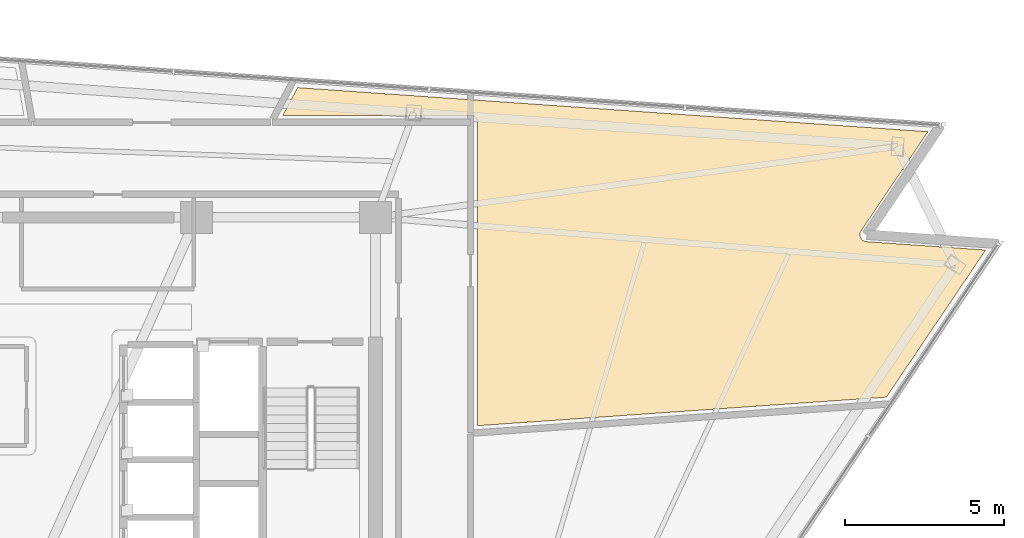
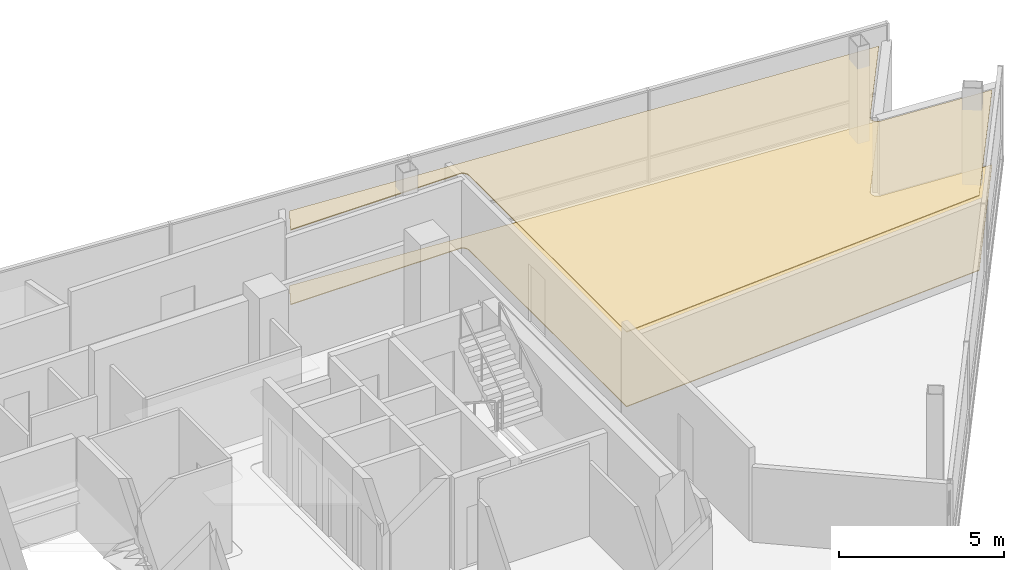
# One storey, part 14 of 14: 2 coverings.
"""IFC4 building model written with IfcOpenShell, lengths in metres."""

import ifcopenshell
import ifcopenshell.guid

model = None  # the IFC model being written
_history = None  # IfcOwnerHistory: only IFC2X3 demands one
_inside = {}  # id of a spatial element -> (the spatial element, [elements in it])
_under = {}  # id of a project, library or spatial element -> (it, [spatial elements below it])
_declared = {}  # id of a project -> (the project, [libraries it declares])
_typed = {}  # id of a type object -> (the type object, [elements of that type])
_made_of = {}  # id of a material, layer set ... -> (it, [elements and type objects made of it])


def new_model(schema):
    """Start an empty IFC model of exactly this schema.

    Asked for "IFC4X3", IfcOpenShell would pick the latest addendum, in which some entities
    have other attributes; the version numbers below select the first issue.
    IFC2X3 requires an IfcOwnerHistory on every rooted entity: one is made here for all.
    """
    global model, _history
    if schema == "IFC4X3":
        model = ifcopenshell.file(schema_version=(4, 3, 0, 0))
    else:
        model = ifcopenshell.file(schema=schema)
    _inside.clear()
    _under.clear()
    _declared.clear()
    _typed.clear()
    _made_of.clear()
    _history = None
    if model.schema == "IFC2X3":
        org = make("IfcOrganization", Name="unknown")
        user = make(
            "IfcPersonAndOrganization",
            ThePerson=make("IfcPerson", FamilyName="unknown"),
            TheOrganization=org,
        )
        app = make(
            "IfcApplication",
            ApplicationDeveloper=org,
            Version="unknown",
            ApplicationFullName="unknown",
            ApplicationIdentifier="unknown",
        )
        _history = make(
            "IfcOwnerHistory",
            OwningUser=user,
            OwningApplication=app,
            ChangeAction="ADDED",
            CreationDate=0,
        )
    return model


def make(cls, **values):
    """One entity of the class cls with the attributes given. An attribute that is None is left unset."""
    return model.create_entity(
        cls, **{name: value for name, value in values.items() if value is not None}
    )


def rooted(cls, **values):
    """An entity with a GlobalId (a new one), such as an element, a storey or a relation."""
    return make(cls, GlobalId=ifcopenshell.guid.new(), OwnerHistory=_history, **values)


def si_unit(unit_type, name, prefix=None):
    """IfcSIUnit, for example si_unit("LENGTHUNIT", "METRE", prefix="MILLI")."""
    return make("IfcSIUnit", UnitType=unit_type, Prefix=prefix, Name=name)


def assignment(units):
    """IfcUnitAssignment: the units of a project."""
    return None if units is None else make("IfcUnitAssignment", Units=units)


def point(xyz):
    """IfcCartesianPoint."""
    return None if xyz is None else make("IfcCartesianPoint", Coordinates=xyz)


def direction(xyz):
    """IfcDirection."""
    return None if xyz is None else make("IfcDirection", DirectionRatios=xyz)


def frame(location, z_axis=None, x_axis=None):
    """IfcAxis2Placement3D, a coordinate frame: its origin and axes. An axis left out is left unset."""
    return make(
        "IfcAxis2Placement3D",
        Location=point(location),
        Axis=direction(z_axis),
        RefDirection=direction(x_axis),
    )


def origin():
    """The frame at (0, 0, 0) with its axes left unset."""
    return frame((0.0, 0.0, 0.0))


def place(relative_to, where):
    """IfcLocalPlacement: puts the frame where relative to a parent placement (None: the world)."""
    return make(
        "IfcLocalPlacement", PlacementRelTo=relative_to, RelativePlacement=where
    )


def context(
    kind, dimensions, precision=None, world=None, true_north=None, identifier=None
):
    """IfcGeometricRepresentationContext, for example the 3D "Model" context."""
    return make(
        "IfcGeometricRepresentationContext",
        ContextIdentifier=identifier,
        ContextType=kind,
        CoordinateSpaceDimension=dimensions,
        Precision=precision,
        WorldCoordinateSystem=world,
        TrueNorth=true_north,
    )


def subcontext(parent, identifier, kind, view, scale=None):
    """IfcGeometricRepresentationSubContext, for example "Body" below "Model"."""
    return make(
        "IfcGeometricRepresentationSubContext",
        ContextIdentifier=identifier,
        ContextType=kind,
        ParentContext=parent,
        TargetScale=scale,
        TargetView=view,
    )


def project(units=None, contexts=None):
    """IfcProject with its units and contexts."""
    return rooted(
        "IfcProject",
        Name="project",
        RepresentationContexts=contexts,
        UnitsInContext=assignment(units),
    )


def spatial(cls, under=None, at=None, **own):
    """A site, building, storey or space (cls), placed at a placement, below another one or the project."""
    s = rooted(cls, ObjectPlacement=at, **own)
    if under is not None:
        _under.setdefault(under.id(), (under, []))[1].append(s)
    return s


def polyline(points):
    """IfcPolyline through the points."""
    return make("IfcPolyline", Points=[point(p) for p in points])


def outline(outer, holes=None, kind="AREA"):
    """IfcArbitraryClosedProfileDef: a profile drawn as a closed curve; with holes, ...WithVoids."""
    if holes is None:
        return make("IfcArbitraryClosedProfileDef", ProfileType=kind, OuterCurve=outer)
    return make(
        "IfcArbitraryProfileDefWithVoids",
        ProfileType=kind,
        OuterCurve=outer,
        InnerCurves=holes,
    )


def extrude(swept, where, along, depth):
    """IfcExtrudedAreaSolid: the profile swept, set in the frame where, extruded along a direction by depth."""
    return make(
        "IfcExtrudedAreaSolid",
        SweptArea=swept,
        Position=where,
        ExtrudedDirection=direction(along),
        Depth=depth,
    )


def shape(context_of_items, identifier, shape_type, items):
    """IfcShapeRepresentation: the items that make up one representation, for example the "Body"."""
    return make(
        "IfcShapeRepresentation",
        ContextOfItems=context_of_items,
        RepresentationIdentifier=identifier,
        RepresentationType=shape_type,
        Items=items,
    )


def material(Name=None, Category=None):
    """IfcMaterial."""
    return make("IfcMaterial", Name=Name, Category=Category)


def layer(
    of_material, thickness, ventilated=None, Name=None, Category=None, Priority=None
):
    """IfcMaterialLayer: one layer of a wall or slab, of a material (None: an air gap)."""
    return make(
        "IfcMaterialLayer",
        Material=of_material,
        LayerThickness=thickness,
        IsVentilated=ventilated,
        Name=Name,
        Category=Category,
        Priority=Priority,
    )


def layer_set(layers, Name=None):
    """IfcMaterialLayerSet."""
    return make("IfcMaterialLayerSet", MaterialLayers=layers, LayerSetName=Name)


def made_of(thing, what):
    """Note that an element or type object is made of a material, layer set ...; save() writes the relation."""
    if what is not None:
        _made_of.setdefault(what.id(), (what, []))[1].append(thing)
    return thing


def type_object(cls, material=None, **own):
    """A type object (cls), such as IfcWallType, which elements share."""
    return made_of(rooted(cls, **own), material)


def element(
    cls,
    number,
    at=None,
    inside=None,
    cuts=None,
    type_object=None,
    material=None,
    context=None,
    identifier="Body",
    shape_type=None,
    held_by="IfcProductDefinitionShape",
    body=None,
    shapes=None,
    **own,
):
    """One element of the class cls, such as IfcWall. Its Tag is "e" and its number.

    at: its placement. inside: the storey or other place that contains it. cuts: it is an
    opening in that element (IfcRelVoidsElement). A single representation is given by context,
    identifier, shape_type and body (its items); several are given by shapes. held_by: the class
    of the entity that holds the representations. save() writes the other relations.
    """
    e = rooted(cls, Tag="e%d" % number, ObjectPlacement=at, **own)
    if body is not None:
        shapes = [shape(context, identifier, shape_type, body)]
    if shapes is not None:
        e.Representation = make(held_by, Representations=shapes)
    if inside is not None:
        _inside.setdefault(inside.id(), (inside, []))[1].append(e)
    if cuts is not None:
        rooted(
            "IfcRelVoidsElement", RelatingBuildingElement=cuts, RelatedOpeningElement=e
        )
    if type_object is not None:
        _typed.setdefault(type_object.id(), (type_object, []))[1].append(e)
    return made_of(e, material)


def aggregate(whole, parts):
    """IfcRelAggregates: a whole, such as a stair, and the parts it consists of."""
    return rooted("IfcRelAggregates", RelatingObject=whole, RelatedObjects=parts)


def save(model, path):
    """Write the relations noted so far, then the file.

    IfcRelAggregates (storeys below a building ...), IfcRelContainedInSpatialStructure (elements
    in a storey), IfcRelDefinesByType, IfcRelAssociatesMaterial and IfcRelDeclares: one each for
    every whole, place, type object, material and project.
    """
    for whole, parts in _under.values():
        aggregate(whole, parts)
    for where, things in _inside.values():
        rooted(
            "IfcRelContainedInSpatialStructure",
            RelatedElements=things,
            RelatingStructure=where,
        )
    for kind, things in _typed.values():
        rooted("IfcRelDefinesByType", RelatedObjects=things, RelatingType=kind)
    for what, things in _made_of.values():
        rooted("IfcRelAssociatesMaterial", RelatedObjects=things, RelatingMaterial=what)
    for by, libraries in _declared.values():
        rooted("IfcRelDeclares", RelatingContext=by, RelatedDefinitions=libraries)
    model.write(path)


model = new_model("IFC4")

# Units and contexts
model_context = context("Model", 3, precision=1e-05, world=origin(), true_north=direction((0.0, 1.0)))
body_context = subcontext(model_context, "Body", "Model", "MODEL_VIEW")
ifc_project = project(units=[si_unit("LENGTHUNIT", "METRE"), si_unit("AREAUNIT", "SQUARE_METRE"), si_unit("VOLUMEUNIT", "CUBIC_METRE"), si_unit("PLANEANGLEUNIT", "RADIAN"), si_unit("MASSUNIT", "GRAM", prefix="KILO")], contexts=[model_context])

# Site, building, storey
site_placement = place(None, origin())
site = spatial("IfcSite", under=ifc_project, at=site_placement, CompositionType="ELEMENT")
building_placement = place(site_placement, origin())
building = spatial("IfcBuilding", under=site, at=building_placement, Name="Tharavind Bronze Gate", CompositionType="ELEMENT")
storey_placement = place(building_placement, frame((0.0, 0.0, 245.050048828125)))
storey = spatial("IfcBuildingStorey", under=building, at=storey_placement, Name="L63", CompositionType="ELEMENT", Elevation=245.050048828125)

# Coverings
ifc_material_1 = material(Name="Engineered Oak & Carpet Tile", Category="wood")
ifc_layer_1 = layer(ifc_material_1, 0.02490234375)
ifc_layer_set_1 = layer_set([ifc_layer_1], Name="Engineered Oak & Carpet Tile")
covering_type_1 = type_object("IfcCoveringType", Name="ENGINEERED TIMBER FLOORING", PredefinedType="FLOORING", material=ifc_layer_set_1)
covering_1_placement = place(storey_placement, origin())
element("IfcCovering", 1, at=covering_1_placement, inside=storey, type_object=covering_type_1, Name="L63-RM-01 floor finish", PredefinedType="FLOORING", context=body_context, shape_type="SweptSolid", body=[
    extrude(outline(polyline([(11.87939453125, 10.800048828125), (11.89013671875, 10.7998046875), (11.890869140625, 10.7998046875), (11.912353515625, 10.797607421875), (11.933349609375, 10.79345703125), (11.9541015625, 10.787109375), (11.97412109375, 10.77880859375), (11.9931640625, 10.768798828125), (12.010986328125, 10.756591796875), (12.027587890625, 10.742919921875), (12.04296875, 10.727783203125), (12.056640625, 10.7109375), (12.068603515625, 10.693115234375), (12.078857421875, 10.674072265625), (12.087158203125, 10.654052734375), (12.093505859375, 10.63330078125), (12.09765625, 10.6123046875), (12.099609375, 10.5908203125), (12.099609375, 10.590087890625), (12.10009765625, 10.579345703125), (12.10009765625, 1.066650390625), (24.9228515625, 1.96337890625), (28.034912109375, 6.5771484375), (24.297607421875, 6.83837890625), (24.286865234375, 6.839599609375), (24.2861328125, 6.839599609375), (24.2646484375, 6.84326171875), (24.243408203125, 6.84912109375), (24.222900390625, 6.85693359375), (24.203369140625, 6.866943359375), (24.184814453125, 6.87890625), (24.167724609375, 6.892333984375), (24.15185546875, 6.90771484375), (24.1376953125, 6.92431640625), (24.125244140625, 6.9423828125), (24.11474609375, 6.961669921875), (24.106201171875, 6.981689453125), (24.099609375, 7.002685546875), (24.09521484375, 7.024169921875), (24.0927734375, 7.0458984375), (24.0927734375, 7.06787109375), (24.0947265625, 7.089599609375), (24.09912109375, 7.111328125), (24.105224609375, 7.132080078125), (24.11376953125, 7.152587890625), (24.124267578125, 7.171875), (24.12451171875, 7.17236328125), (24.13037109375, 7.181396484375), (26.225341796875, 10.287353515625), (6.4541015625, 11.669921875), (5.99169921875, 10.800048828125), (11.87939453125, 10.800048828125)])), origin(), (0.0, 0.0, 1.0), 0.02490234375),
])
ifc_material_2 = material(Name="Acoustic Gypsum Board", Category="gypsum")
ifc_layer_2 = layer(ifc_material_2, 0.030029296875)
ifc_layer_set_2 = layer_set([ifc_layer_2], Name="Acoustic Gypsum Board")
covering_type_2 = type_object("IfcCoveringType", Name="GYPSUM SUSPENDED CEILING", PredefinedType="CEILING", material=ifc_layer_set_2)
covering_2_placement = place(storey_placement, frame((0.0, 0.0, 2.75)))
element("IfcCovering", 2, at=covering_2_placement, inside=storey, type_object=covering_type_2, Name="L63-RM-01 suspended ceiling", PredefinedType="CEILING", context=body_context, shape_type="SweptSolid", body=[
    extrude(outline(polyline([(11.87939453125, 10.800048828125), (11.89013671875, 10.7998046875), (11.890869140625, 10.7998046875), (11.912353515625, 10.797607421875), (11.933349609375, 10.79345703125), (11.9541015625, 10.787109375), (11.97412109375, 10.77880859375), (11.9931640625, 10.768798828125), (12.010986328125, 10.756591796875), (12.027587890625, 10.742919921875), (12.04296875, 10.727783203125), (12.056640625, 10.7109375), (12.068603515625, 10.693115234375), (12.078857421875, 10.674072265625), (12.087158203125, 10.654052734375), (12.093505859375, 10.63330078125), (12.09765625, 10.6123046875), (12.099609375, 10.5908203125), (12.099609375, 10.590087890625), (12.10009765625, 10.579345703125), (12.10009765625, 1.066650390625), (24.9228515625, 1.96337890625), (28.034912109375, 6.5771484375), (24.297607421875, 6.83837890625), (24.286865234375, 6.839599609375), (24.2861328125, 6.839599609375), (24.2646484375, 6.84326171875), (24.243408203125, 6.84912109375), (24.222900390625, 6.85693359375), (24.203369140625, 6.866943359375), (24.184814453125, 6.87890625), (24.167724609375, 6.892333984375), (24.15185546875, 6.90771484375), (24.1376953125, 6.92431640625), (24.125244140625, 6.9423828125), (24.11474609375, 6.961669921875), (24.106201171875, 6.981689453125), (24.099609375, 7.002685546875), (24.09521484375, 7.024169921875), (24.0927734375, 7.0458984375), (24.0927734375, 7.06787109375), (24.0947265625, 7.089599609375), (24.09912109375, 7.111328125), (24.105224609375, 7.132080078125), (24.11376953125, 7.152587890625), (24.124267578125, 7.171875), (24.12451171875, 7.17236328125), (24.13037109375, 7.181396484375), (26.225341796875, 10.287353515625), (6.4541015625, 11.669921875), (5.99169921875, 10.800048828125), (11.87939453125, 10.800048828125)])), origin(), (0.0, 0.0, 1.0), 0.034912109375),
])

save(model, "model.ifc")
